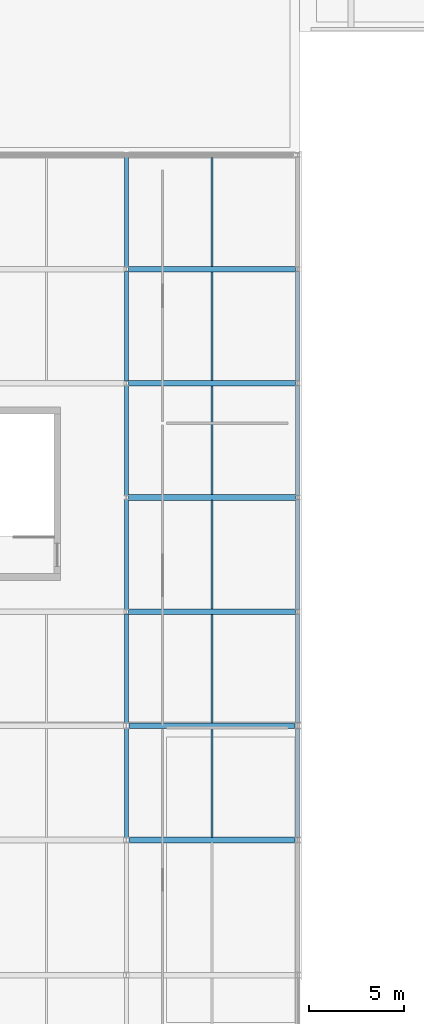
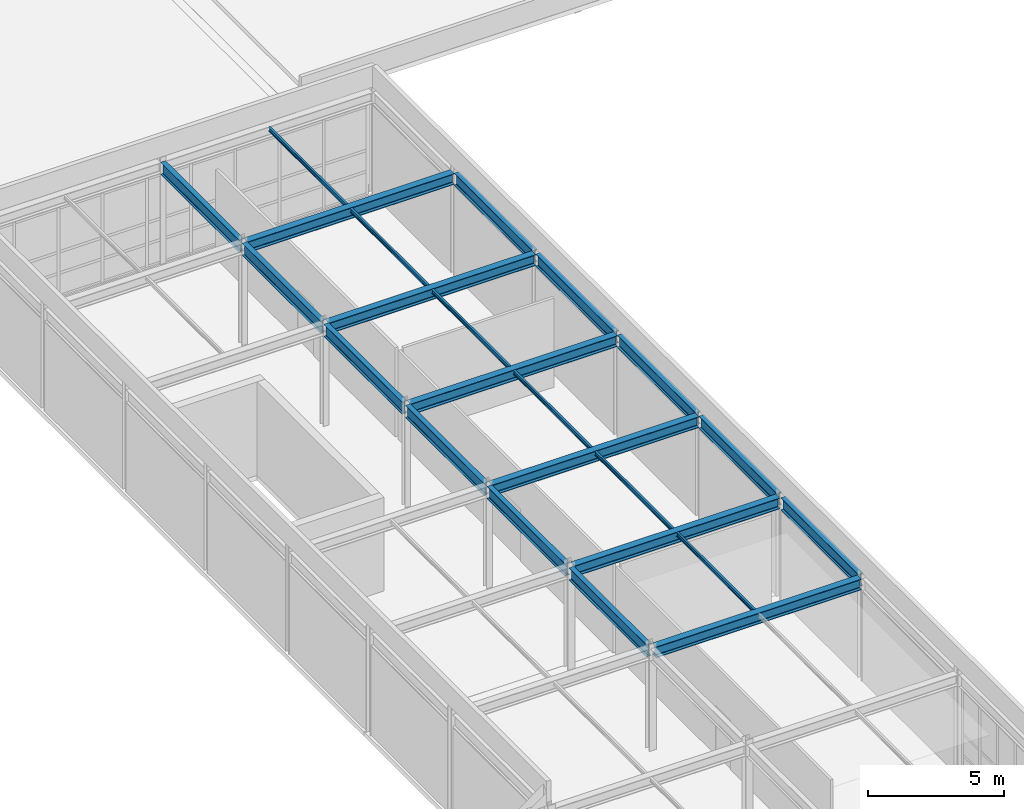
# One storey, part 25 of 38: 23 beams.
"""IFC4 building model written with IfcOpenShell, lengths in metres."""

import ifcopenshell
import ifcopenshell.guid

model = None  # the IFC model being written
_history = None  # IfcOwnerHistory: only IFC2X3 demands one
_inside = {}  # id of a spatial element -> (the spatial element, [elements in it])
_under = {}  # id of a project, library or spatial element -> (it, [spatial elements below it])
_declared = {}  # id of a project -> (the project, [libraries it declares])
_typed = {}  # id of a type object -> (the type object, [elements of that type])
_made_of = {}  # id of a material, layer set ... -> (it, [elements and type objects made of it])


def new_model(schema):
    """Start an empty IFC model of exactly this schema.

    Asked for "IFC4X3", IfcOpenShell would pick the latest addendum, in which some entities
    have other attributes; the version numbers below select the first issue.
    IFC2X3 requires an IfcOwnerHistory on every rooted entity: one is made here for all.
    """
    global model, _history
    if schema == "IFC4X3":
        model = ifcopenshell.file(schema_version=(4, 3, 0, 0))
    else:
        model = ifcopenshell.file(schema=schema)
    _inside.clear()
    _under.clear()
    _declared.clear()
    _typed.clear()
    _made_of.clear()
    _history = None
    if model.schema == "IFC2X3":
        org = make("IfcOrganization", Name="unknown")
        user = make(
            "IfcPersonAndOrganization",
            ThePerson=make("IfcPerson", FamilyName="unknown"),
            TheOrganization=org,
        )
        app = make(
            "IfcApplication",
            ApplicationDeveloper=org,
            Version="unknown",
            ApplicationFullName="unknown",
            ApplicationIdentifier="unknown",
        )
        _history = make(
            "IfcOwnerHistory",
            OwningUser=user,
            OwningApplication=app,
            ChangeAction="ADDED",
            CreationDate=0,
        )
    return model


def make(cls, **values):
    """One entity of the class cls with the attributes given. An attribute that is None is left unset."""
    return model.create_entity(
        cls, **{name: value for name, value in values.items() if value is not None}
    )


def rooted(cls, **values):
    """An entity with a GlobalId (a new one), such as an element, a storey or a relation."""
    return make(cls, GlobalId=ifcopenshell.guid.new(), OwnerHistory=_history, **values)


def si_unit(unit_type, name, prefix=None):
    """IfcSIUnit, for example si_unit("LENGTHUNIT", "METRE", prefix="MILLI")."""
    return make("IfcSIUnit", UnitType=unit_type, Prefix=prefix, Name=name)


def assignment(units):
    """IfcUnitAssignment: the units of a project."""
    return None if units is None else make("IfcUnitAssignment", Units=units)


def point(xyz):
    """IfcCartesianPoint."""
    return None if xyz is None else make("IfcCartesianPoint", Coordinates=xyz)


def direction(xyz):
    """IfcDirection."""
    return None if xyz is None else make("IfcDirection", DirectionRatios=xyz)


def frame(location, z_axis=None, x_axis=None):
    """IfcAxis2Placement3D, a coordinate frame: its origin and axes. An axis left out is left unset."""
    return make(
        "IfcAxis2Placement3D",
        Location=point(location),
        Axis=direction(z_axis),
        RefDirection=direction(x_axis),
    )


def frame_2d(location, x_axis=None):
    """IfcAxis2Placement2D, a coordinate frame in the plane: its origin and x axis."""
    return make(
        "IfcAxis2Placement2D", Location=point(location), RefDirection=direction(x_axis)
    )


def origin():
    """The frame at (0, 0, 0) with its axes left unset."""
    return frame((0.0, 0.0, 0.0))


def origin_2d():
    """The frame at (0, 0) in the plane with its x axis left unset."""
    return frame_2d((0.0, 0.0))


def place(relative_to, where):
    """IfcLocalPlacement: puts the frame where relative to a parent placement (None: the world)."""
    return make(
        "IfcLocalPlacement", PlacementRelTo=relative_to, RelativePlacement=where
    )


def context(
    kind, dimensions, precision=None, world=None, true_north=None, identifier=None
):
    """IfcGeometricRepresentationContext, for example the 3D "Model" context."""
    return make(
        "IfcGeometricRepresentationContext",
        ContextIdentifier=identifier,
        ContextType=kind,
        CoordinateSpaceDimension=dimensions,
        Precision=precision,
        WorldCoordinateSystem=world,
        TrueNorth=true_north,
    )


def subcontext(parent, identifier, kind, view, scale=None):
    """IfcGeometricRepresentationSubContext, for example "Body" below "Model"."""
    return make(
        "IfcGeometricRepresentationSubContext",
        ContextIdentifier=identifier,
        ContextType=kind,
        ParentContext=parent,
        TargetScale=scale,
        TargetView=view,
    )


def project(units=None, contexts=None):
    """IfcProject with its units and contexts."""
    return rooted(
        "IfcProject",
        Name="project",
        RepresentationContexts=contexts,
        UnitsInContext=assignment(units),
    )


def spatial(cls, under=None, at=None, **own):
    """A site, building, storey or space (cls), placed at a placement, below another one or the project."""
    s = rooted(cls, ObjectPlacement=at, **own)
    if under is not None:
        _under.setdefault(under.id(), (under, []))[1].append(s)
    return s


def profile(cls, at=None, kind="AREA", **sizes):
    """A parametric profile (cls). Its sizes go by their IFC names, for example OverallWidth=200.0."""
    return make(cls, ProfileType=kind, Position=at, **sizes)


def i_section(**sizes):
    """IfcIShapeProfileDef."""
    return profile("IfcIShapeProfileDef", **sizes)


def extrude(swept, where, along, depth):
    """IfcExtrudedAreaSolid: the profile swept, set in the frame where, extruded along a direction by depth."""
    return make(
        "IfcExtrudedAreaSolid",
        SweptArea=swept,
        Position=where,
        ExtrudedDirection=direction(along),
        Depth=depth,
    )


def shape(context_of_items, identifier, shape_type, items):
    """IfcShapeRepresentation: the items that make up one representation, for example the "Body"."""
    return make(
        "IfcShapeRepresentation",
        ContextOfItems=context_of_items,
        RepresentationIdentifier=identifier,
        RepresentationType=shape_type,
        Items=items,
    )


def material(Name=None, Category=None):
    """IfcMaterial."""
    return make("IfcMaterial", Name=Name, Category=Category)


def material_profile(
    of_material, cross_section, Name=None, Category=None, Priority=None
):
    """IfcMaterialProfile: a cross section and its material."""
    return make(
        "IfcMaterialProfile",
        Name=Name,
        Material=of_material,
        Profile=cross_section,
        Priority=Priority,
        Category=Category,
    )


def profile_set(profiles, Name=None, composite=None):
    """IfcMaterialProfileSet."""
    return make(
        "IfcMaterialProfileSet",
        Name=Name,
        MaterialProfiles=profiles,
        CompositeProfile=composite,
    )


def made_of(thing, what):
    """Note that an element or type object is made of a material, layer set ...; save() writes the relation."""
    if what is not None:
        _made_of.setdefault(what.id(), (what, []))[1].append(thing)
    return thing


def type_object(cls, material=None, **own):
    """A type object (cls), such as IfcWallType, which elements share."""
    return made_of(rooted(cls, **own), material)


def element(
    cls,
    number,
    at=None,
    inside=None,
    cuts=None,
    type_object=None,
    material=None,
    context=None,
    identifier="Body",
    shape_type=None,
    held_by="IfcProductDefinitionShape",
    body=None,
    shapes=None,
    **own,
):
    """One element of the class cls, such as IfcWall. Its Tag is "e" and its number.

    at: its placement. inside: the storey or other place that contains it. cuts: it is an
    opening in that element (IfcRelVoidsElement). A single representation is given by context,
    identifier, shape_type and body (its items); several are given by shapes. held_by: the class
    of the entity that holds the representations. save() writes the other relations.
    """
    e = rooted(cls, Tag="e%d" % number, ObjectPlacement=at, **own)
    if body is not None:
        shapes = [shape(context, identifier, shape_type, body)]
    if shapes is not None:
        e.Representation = make(held_by, Representations=shapes)
    if inside is not None:
        _inside.setdefault(inside.id(), (inside, []))[1].append(e)
    if cuts is not None:
        rooted(
            "IfcRelVoidsElement", RelatingBuildingElement=cuts, RelatedOpeningElement=e
        )
    if type_object is not None:
        _typed.setdefault(type_object.id(), (type_object, []))[1].append(e)
    return made_of(e, material)


def aggregate(whole, parts):
    """IfcRelAggregates: a whole, such as a stair, and the parts it consists of."""
    return rooted("IfcRelAggregates", RelatingObject=whole, RelatedObjects=parts)


def save(model, path):
    """Write the relations noted so far, then the file.

    IfcRelAggregates (storeys below a building ...), IfcRelContainedInSpatialStructure (elements
    in a storey), IfcRelDefinesByType, IfcRelAssociatesMaterial and IfcRelDeclares: one each for
    every whole, place, type object, material and project.
    """
    for whole, parts in _under.values():
        aggregate(whole, parts)
    for where, things in _inside.values():
        rooted(
            "IfcRelContainedInSpatialStructure",
            RelatedElements=things,
            RelatingStructure=where,
        )
    for kind, things in _typed.values():
        rooted("IfcRelDefinesByType", RelatedObjects=things, RelatingType=kind)
    for what, things in _made_of.values():
        rooted("IfcRelAssociatesMaterial", RelatedObjects=things, RelatingMaterial=what)
    for by, libraries in _declared.values():
        rooted("IfcRelDeclares", RelatingContext=by, RelatedDefinitions=libraries)
    model.write(path)


model = new_model("IFC4")

# Units and contexts
model_context = context("Model", 3, precision=1e-05, world=origin(), true_north=direction((0.0, 1.0)))
body_context = subcontext(model_context, "Body", "Model", "MODEL_VIEW")
ifc_project = project(units=[si_unit("LENGTHUNIT", "METRE"), si_unit("AREAUNIT", "SQUARE_METRE"), si_unit("VOLUMEUNIT", "CUBIC_METRE"), si_unit("PLANEANGLEUNIT", "RADIAN"), si_unit("MASSUNIT", "GRAM", prefix="KILO")], contexts=[model_context])

# Site, building, storey
site_placement = place(None, origin())
site = spatial("IfcSite", under=ifc_project, at=site_placement, CompositionType="ELEMENT")
building_placement = place(site_placement, origin())
building = spatial("IfcBuilding", under=site, at=building_placement, Name="Kaldris Quays Convention Centre", CompositionType="ELEMENT")
storey_placement = place(building_placement, frame((0.0, 0.0, 21.60009765625)))
storey = spatial("IfcBuildingStorey", under=building, at=storey_placement, Name="L04", CompositionType="ELEMENT", Elevation=21.60009765625)

# Beams
ifc_material = material(Name="Steel S355J2", Category="steel")
ifc_material_profile_1 = material_profile(ifc_material, i_section(OverallWidth=0.300048828125, OverallDepth=0.489990234375, WebThickness=0.011962890625, FlangeThickness=0.02294921875, FilletRadius=0.027099609375, at=origin_2d()), Name="HEA 500")
ifc_profile_set_1 = profile_set([ifc_material_profile_1], Name="Steel S355J2")
beam_type_1 = type_object("IfcBeamType", Name="STRUCTURAL BEAM BM09", PredefinedType="BEAM", material=ifc_profile_set_1)
for number, where, z_axis, x_axis, name in (
    (1, (155.14404296875, 62.0, 4.347900390625), (1.0, 0.0, 0.0), (0.0, 1.0, 0.0), "L04 Girder BM09 26"),
    (2, (155.14404296875, 68.0, 4.347900390625), (1.0, 0.0, 0.0), (0.0, 1.0, 0.0), "L04 Girder BM09 28"),
):
    element("IfcBeam", number, at=place(storey_placement, frame(where, z_axis=z_axis, x_axis=x_axis)), inside=storey, type_object=beam_type_1, Name=name, PredefinedType="BEAM", context=body_context, shape_type="SweptSolid", body=[
        extrude(i_section(OverallWidth=0.300048828125, OverallDepth=0.489990234375, WebThickness=0.011962890625, FlangeThickness=0.02294921875, FilletRadius=0.027099609375, at=origin_2d()), origin(), (0.0, 0.0, 1.0), 8.7119140625),
    ])
for number, where, z_axis, x_axis, name in (
    (3, (155.114013671875, 74.0, 4.347900390625), (1.0, 0.0, 0.0), (0.0, 1.0, 0.0), "L04 Girder BM09 30"),
    (4, (155.114013671875, 80.0, 4.347900390625), (1.0, 0.0, 0.0), (0.0, 1.0, 0.0), "L04 Girder BM09 31"),
    (5, (155.114013671875, 86.0, 4.347900390625), (1.0, 0.0, 0.0), (0.0, 1.0, 0.0), "L04 Girder BM09 33"),
    (6, (155.114013671875, 92.0, 4.347900390625), (1.0, 0.0, 0.0), (0.0, 1.0, 0.0), "L04 Girder BM09 35"),
):
    element("IfcBeam", number, at=place(storey_placement, frame(where, z_axis=z_axis, x_axis=x_axis)), inside=storey, type_object=beam_type_1, Name=name, PredefinedType="BEAM", context=body_context, shape_type="SweptSolid", body=[
        extrude(i_section(OverallWidth=0.300048828125, OverallDepth=0.489990234375, WebThickness=0.011962890625, FlangeThickness=0.02294921875, FilletRadius=0.027099609375, at=origin_2d()), origin(), (0.0, 0.0, 1.0), 8.77197265625),
    ])
ifc_material_profile_2 = material_profile(ifc_material, i_section(OverallWidth=0.2099609375, OverallDepth=0.550048828125, WebThickness=0.010986328125, FlangeThickness=0.01708984375, FilletRadius=0.02392578125, at=origin_2d()), Name="IPE 550")
ifc_profile_set_2 = profile_set([ifc_material_profile_2], Name="Steel S355J2")
beam_type_2 = type_object("IfcBeamType", Name="STRUCTURAL BEAM BM11", PredefinedType="BEAM", material=ifc_profile_set_2)
beam_1_placement = place(storey_placement, frame((155.0, 62.14404296875, 4.31787109375), z_axis=(0.0, 1.0, 0.0), x_axis=(-1.0, 0.0, 0.0)))
element("IfcBeam", 7, at=beam_1_placement, inside=storey, type_object=beam_type_2, Name="L04 Girder BM11 58", PredefinedType="BEAM", context=body_context, shape_type="SweptSolid", body=[
    extrude(i_section(OverallWidth=0.2099609375, OverallDepth=0.550048828125, WebThickness=0.010986328125, FlangeThickness=0.01708984375, FilletRadius=0.02392578125, at=origin_2d()), origin(), (0.0, 0.0, 1.0), 5.7119140625),
])
beam_2_placement = place(storey_placement, frame((155.0, 68.14404296875, 4.31787109375), z_axis=(0.0, 1.0, 0.0), x_axis=(-1.0, 0.0, 0.0)))
element("IfcBeam", 8, at=beam_2_placement, inside=storey, type_object=beam_type_2, Name="L04 Girder BM11 59", PredefinedType="BEAM", context=body_context, shape_type="SweptSolid", body=[
    extrude(i_section(OverallWidth=0.2099609375, OverallDepth=0.550048828125, WebThickness=0.010986328125, FlangeThickness=0.01708984375, FilletRadius=0.02392578125, at=origin_2d()), origin(), (0.0, 0.0, 1.0), 5.741943359375),
])
for number, where, z_axis, x_axis, name in (
    (9, (155.0, 74.114013671875, 4.31787109375), (0.0, 1.0, 0.0), (-1.0, 0.0, 0.0), "L04 Girder BM11 60"),
    (10, (155.0, 80.114013671875, 4.31787109375), (0.0, 1.0, 0.0), (-1.0, 0.0, 0.0), "L04 Girder BM11 61"),
    (11, (155.0, 86.114013671875, 4.31787109375), (0.0, 1.0, 0.0), (-1.0, 0.0, 0.0), "L04 Girder BM11 62"),
    (12, (155.0, 92.114013671875, 4.31787109375), (0.0, 1.0, 0.0), (-1.0, 0.0, 0.0), "L04 Girder BM11 63"),
):
    element("IfcBeam", number, at=place(storey_placement, frame(where, z_axis=z_axis, x_axis=x_axis)), inside=storey, type_object=beam_type_2, Name=name, PredefinedType="BEAM", context=body_context, shape_type="SweptSolid", body=[
        extrude(i_section(OverallWidth=0.2099609375, OverallDepth=0.550048828125, WebThickness=0.010986328125, FlangeThickness=0.01708984375, FilletRadius=0.02392578125, at=origin_2d()), origin(), (0.0, 0.0, 1.0), 5.77197265625),
    ])
beam_3_placement = place(storey_placement, frame((164.0, 62.14404296875, 4.31787109375), z_axis=(0.0, 1.0, 0.0), x_axis=(-1.0, 0.0, 0.0)))
element("IfcBeam", 13, at=beam_3_placement, inside=storey, type_object=beam_type_2, Name="L04 Girder BM11 67", PredefinedType="BEAM", context=body_context, shape_type="SweptSolid", body=[
    extrude(i_section(OverallWidth=0.2099609375, OverallDepth=0.550048828125, WebThickness=0.010986328125, FlangeThickness=0.01708984375, FilletRadius=0.02392578125, at=origin_2d()), origin(), (0.0, 0.0, 1.0), 5.7119140625),
])
beam_4_placement = place(storey_placement, frame((164.0, 68.14404296875, 4.31787109375), z_axis=(0.0, 1.0, 0.0), x_axis=(-1.0, 0.0, 0.0)))
element("IfcBeam", 14, at=beam_4_placement, inside=storey, type_object=beam_type_2, Name="L04 Girder BM11 68", PredefinedType="BEAM", context=body_context, shape_type="SweptSolid", body=[
    extrude(i_section(OverallWidth=0.2099609375, OverallDepth=0.550048828125, WebThickness=0.010986328125, FlangeThickness=0.01708984375, FilletRadius=0.02392578125, at=origin_2d()), origin(), (0.0, 0.0, 1.0), 5.741943359375),
])
for number, where, z_axis, x_axis, name in (
    (15, (164.0, 74.114013671875, 4.31787109375), (0.0, 1.0, 0.0), (-1.0, 0.0, 0.0), "L04 Girder BM11 69"),
    (16, (164.0, 80.114013671875, 4.31787109375), (0.0, 1.0, 0.0), (-1.0, 0.0, 0.0), "L04 Girder BM11 70"),
    (17, (164.0, 86.114013671875, 4.31787109375), (0.0, 1.0, 0.0), (-1.0, 0.0, 0.0), "L04 Girder BM11 71"),
):
    element("IfcBeam", number, at=place(storey_placement, frame(where, z_axis=z_axis, x_axis=x_axis)), inside=storey, type_object=beam_type_2, Name=name, PredefinedType="BEAM", context=body_context, shape_type="SweptSolid", body=[
        extrude(i_section(OverallWidth=0.2099609375, OverallDepth=0.550048828125, WebThickness=0.010986328125, FlangeThickness=0.01708984375, FilletRadius=0.02392578125, at=origin_2d()), origin(), (0.0, 0.0, 1.0), 5.77197265625),
    ])
ifc_material_profile_3 = material_profile(ifc_material, i_section(OverallWidth=0.091064453125, OverallDepth=0.179931640625, WebThickness=0.00537109375, FlangeThickness=0.008056640625, FilletRadius=0.009033203125, at=origin_2d()), Name="IPE 180")
ifc_profile_set_3 = profile_set([ifc_material_profile_3], Name="Steel S355J2")
beam_type_3 = type_object("IfcBeamType", Name="STRUCTURAL BEAM JT10", PredefinedType="JOIST", material=ifc_profile_set_3)
for number, where, z_axis, x_axis, name in (
    (18, (159.5, 62.14404296875, 4.5029296875), (0.0, 1.0, 0.0), (-1.0, 0.0, 0.0), "L04 Secondary Joist JT10 14"),
    (19, (159.5, 68.14404296875, 4.5029296875), (0.0, 1.0, 0.0), (-1.0, 0.0, 0.0), "L04 Secondary Joist JT10 16"),
    (20, (159.5, 74.14404296875, 4.5029296875), (0.0, 1.0, 0.0), (-1.0, 0.0, 0.0), "L04 Secondary Joist JT10 17"),
    (21, (159.5, 80.14404296875, 4.5029296875), (0.0, 1.0, 0.0), (-1.0, 0.0, 0.0), "L04 Secondary Joist JT10 18"),
    (22, (159.5, 86.14404296875, 4.5029296875), (0.0, 1.0, 0.0), (-1.0, 0.0, 0.0), "L04 Secondary Joist JT10 20"),
    (23, (159.5, 92.14404296875, 4.5029296875), (0.0, 1.0, 0.0), (-1.0, 0.0, 0.0), "L04 Secondary Joist JT10 22"),
):
    element("IfcBeam", number, at=place(storey_placement, frame(where, z_axis=z_axis, x_axis=x_axis)), inside=storey, type_object=beam_type_3, Name=name, PredefinedType="JOIST", context=body_context, shape_type="SweptSolid", body=[
        extrude(i_section(OverallWidth=0.091064453125, OverallDepth=0.179931640625, WebThickness=0.00537109375, FlangeThickness=0.008056640625, FilletRadius=0.009033203125, at=origin_2d()), origin(), (0.0, 0.0, 1.0), 5.7119140625),
    ])

save(model, "model.ifc")
